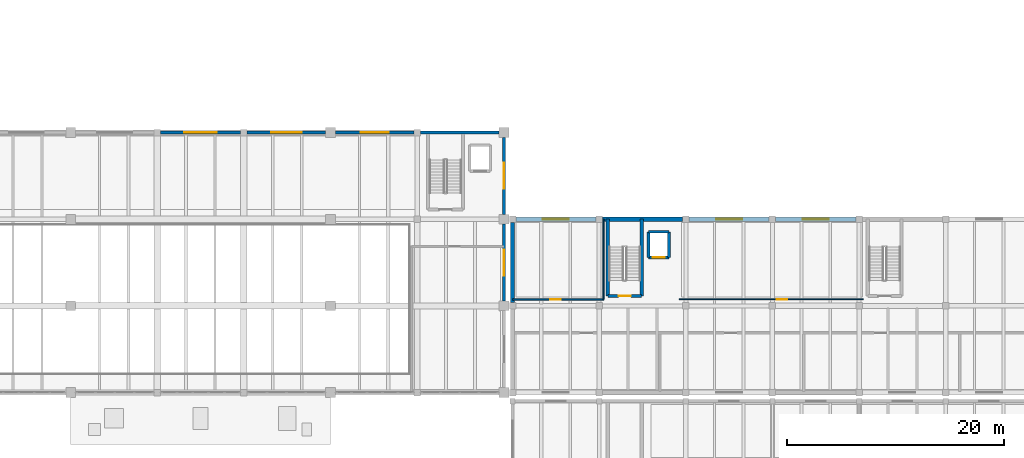
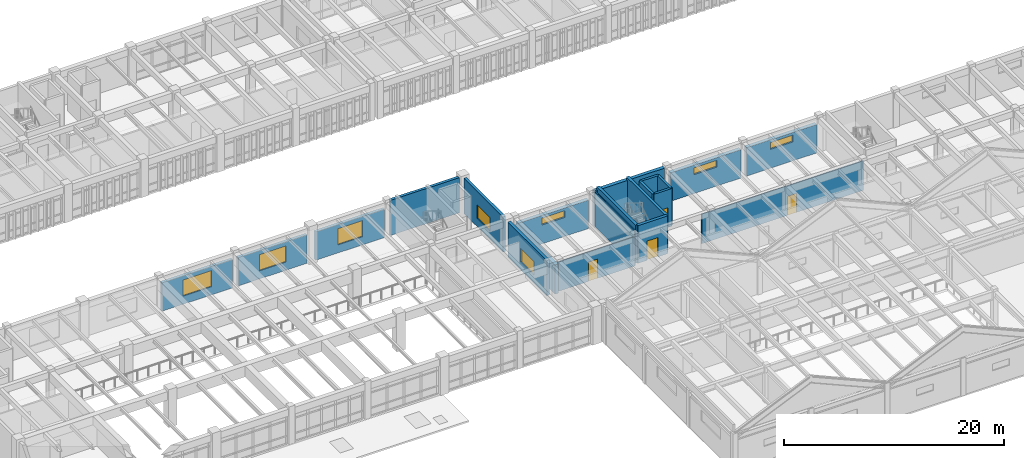
# One storey, part 46 of 67: 21 walls, 8 windows, 4 doors, 12 openings.
"""IFC4 building model written with IfcOpenShell, lengths in metres."""

import ifcopenshell
import ifcopenshell.guid

model = None  # the IFC model being written
_history = None  # IfcOwnerHistory: only IFC2X3 demands one
_inside = {}  # id of a spatial element -> (the spatial element, [elements in it])
_under = {}  # id of a project, library or spatial element -> (it, [spatial elements below it])
_declared = {}  # id of a project -> (the project, [libraries it declares])
_typed = {}  # id of a type object -> (the type object, [elements of that type])
_made_of = {}  # id of a material, layer set ... -> (it, [elements and type objects made of it])


def new_model(schema):
    """Start an empty IFC model of exactly this schema.

    Asked for "IFC4X3", IfcOpenShell would pick the latest addendum, in which some entities
    have other attributes; the version numbers below select the first issue.
    IFC2X3 requires an IfcOwnerHistory on every rooted entity: one is made here for all.
    """
    global model, _history
    if schema == "IFC4X3":
        model = ifcopenshell.file(schema_version=(4, 3, 0, 0))
    else:
        model = ifcopenshell.file(schema=schema)
    _inside.clear()
    _under.clear()
    _declared.clear()
    _typed.clear()
    _made_of.clear()
    _history = None
    if model.schema == "IFC2X3":
        org = make("IfcOrganization", Name="unknown")
        user = make(
            "IfcPersonAndOrganization",
            ThePerson=make("IfcPerson", FamilyName="unknown"),
            TheOrganization=org,
        )
        app = make(
            "IfcApplication",
            ApplicationDeveloper=org,
            Version="unknown",
            ApplicationFullName="unknown",
            ApplicationIdentifier="unknown",
        )
        _history = make(
            "IfcOwnerHistory",
            OwningUser=user,
            OwningApplication=app,
            ChangeAction="ADDED",
            CreationDate=0,
        )
    return model


def make(cls, **values):
    """One entity of the class cls with the attributes given. An attribute that is None is left unset."""
    return model.create_entity(
        cls, **{name: value for name, value in values.items() if value is not None}
    )


def rooted(cls, **values):
    """An entity with a GlobalId (a new one), such as an element, a storey or a relation."""
    return make(cls, GlobalId=ifcopenshell.guid.new(), OwnerHistory=_history, **values)


def si_unit(unit_type, name, prefix=None):
    """IfcSIUnit, for example si_unit("LENGTHUNIT", "METRE", prefix="MILLI")."""
    return make("IfcSIUnit", UnitType=unit_type, Prefix=prefix, Name=name)


def assignment(units):
    """IfcUnitAssignment: the units of a project."""
    return None if units is None else make("IfcUnitAssignment", Units=units)


def point(xyz):
    """IfcCartesianPoint."""
    return None if xyz is None else make("IfcCartesianPoint", Coordinates=xyz)


def direction(xyz):
    """IfcDirection."""
    return None if xyz is None else make("IfcDirection", DirectionRatios=xyz)


def frame(location, z_axis=None, x_axis=None):
    """IfcAxis2Placement3D, a coordinate frame: its origin and axes. An axis left out is left unset."""
    return make(
        "IfcAxis2Placement3D",
        Location=point(location),
        Axis=direction(z_axis),
        RefDirection=direction(x_axis),
    )


def frame_2d(location, x_axis=None):
    """IfcAxis2Placement2D, a coordinate frame in the plane: its origin and x axis."""
    return make(
        "IfcAxis2Placement2D", Location=point(location), RefDirection=direction(x_axis)
    )


def origin():
    """The frame at (0, 0, 0) with its axes left unset."""
    return frame((0.0, 0.0, 0.0))


def place(relative_to, where):
    """IfcLocalPlacement: puts the frame where relative to a parent placement (None: the world)."""
    return make(
        "IfcLocalPlacement", PlacementRelTo=relative_to, RelativePlacement=where
    )


def context(
    kind, dimensions, precision=None, world=None, true_north=None, identifier=None
):
    """IfcGeometricRepresentationContext, for example the 3D "Model" context."""
    return make(
        "IfcGeometricRepresentationContext",
        ContextIdentifier=identifier,
        ContextType=kind,
        CoordinateSpaceDimension=dimensions,
        Precision=precision,
        WorldCoordinateSystem=world,
        TrueNorth=true_north,
    )


def subcontext(parent, identifier, kind, view, scale=None):
    """IfcGeometricRepresentationSubContext, for example "Body" below "Model"."""
    return make(
        "IfcGeometricRepresentationSubContext",
        ContextIdentifier=identifier,
        ContextType=kind,
        ParentContext=parent,
        TargetScale=scale,
        TargetView=view,
    )


def project(units=None, contexts=None):
    """IfcProject with its units and contexts."""
    return rooted(
        "IfcProject",
        Name="project",
        RepresentationContexts=contexts,
        UnitsInContext=assignment(units),
    )


def spatial(cls, under=None, at=None, **own):
    """A site, building, storey or space (cls), placed at a placement, below another one or the project."""
    s = rooted(cls, ObjectPlacement=at, **own)
    if under is not None:
        _under.setdefault(under.id(), (under, []))[1].append(s)
    return s


def profile(cls, at=None, kind="AREA", **sizes):
    """A parametric profile (cls). Its sizes go by their IFC names, for example OverallWidth=200.0."""
    return make(cls, ProfileType=kind, Position=at, **sizes)


def rectangle(**sizes):
    """IfcRectangleProfileDef."""
    return profile("IfcRectangleProfileDef", **sizes)


def extrude(swept, where, along, depth):
    """IfcExtrudedAreaSolid: the profile swept, set in the frame where, extruded along a direction by depth."""
    return make(
        "IfcExtrudedAreaSolid",
        SweptArea=swept,
        Position=where,
        ExtrudedDirection=direction(along),
        Depth=depth,
    )


def shape(context_of_items, identifier, shape_type, items):
    """IfcShapeRepresentation: the items that make up one representation, for example the "Body"."""
    return make(
        "IfcShapeRepresentation",
        ContextOfItems=context_of_items,
        RepresentationIdentifier=identifier,
        RepresentationType=shape_type,
        Items=items,
    )


def material(Name=None, Category=None):
    """IfcMaterial."""
    return make("IfcMaterial", Name=Name, Category=Category)


def layer(
    of_material, thickness, ventilated=None, Name=None, Category=None, Priority=None
):
    """IfcMaterialLayer: one layer of a wall or slab, of a material (None: an air gap)."""
    return make(
        "IfcMaterialLayer",
        Material=of_material,
        LayerThickness=thickness,
        IsVentilated=ventilated,
        Name=Name,
        Category=Category,
        Priority=Priority,
    )


def layer_set(layers, Name=None):
    """IfcMaterialLayerSet."""
    return make("IfcMaterialLayerSet", MaterialLayers=layers, LayerSetName=Name)


def made_of(thing, what):
    """Note that an element or type object is made of a material, layer set ...; save() writes the relation."""
    if what is not None:
        _made_of.setdefault(what.id(), (what, []))[1].append(thing)
    return thing


def type_object(cls, material=None, **own):
    """A type object (cls), such as IfcWallType, which elements share."""
    return made_of(rooted(cls, **own), material)


def element(
    cls,
    number,
    at=None,
    inside=None,
    cuts=None,
    type_object=None,
    material=None,
    context=None,
    identifier="Body",
    shape_type=None,
    held_by="IfcProductDefinitionShape",
    body=None,
    shapes=None,
    **own,
):
    """One element of the class cls, such as IfcWall. Its Tag is "e" and its number.

    at: its placement. inside: the storey or other place that contains it. cuts: it is an
    opening in that element (IfcRelVoidsElement). A single representation is given by context,
    identifier, shape_type and body (its items); several are given by shapes. held_by: the class
    of the entity that holds the representations. save() writes the other relations.
    """
    e = rooted(cls, Tag="e%d" % number, ObjectPlacement=at, **own)
    if body is not None:
        shapes = [shape(context, identifier, shape_type, body)]
    if shapes is not None:
        e.Representation = make(held_by, Representations=shapes)
    if inside is not None:
        _inside.setdefault(inside.id(), (inside, []))[1].append(e)
    if cuts is not None:
        rooted(
            "IfcRelVoidsElement", RelatingBuildingElement=cuts, RelatedOpeningElement=e
        )
    if type_object is not None:
        _typed.setdefault(type_object.id(), (type_object, []))[1].append(e)
    return made_of(e, material)


def fill(opening, filler):
    """IfcRelFillsElement: the door or window that sits in an opening."""
    return rooted(
        "IfcRelFillsElement",
        RelatingOpeningElement=opening,
        RelatedBuildingElement=filler,
    )


def aggregate(whole, parts):
    """IfcRelAggregates: a whole, such as a stair, and the parts it consists of."""
    return rooted("IfcRelAggregates", RelatingObject=whole, RelatedObjects=parts)


def save(model, path):
    """Write the relations noted so far, then the file.

    IfcRelAggregates (storeys below a building ...), IfcRelContainedInSpatialStructure (elements
    in a storey), IfcRelDefinesByType, IfcRelAssociatesMaterial and IfcRelDeclares: one each for
    every whole, place, type object, material and project.
    """
    for whole, parts in _under.values():
        aggregate(whole, parts)
    for where, things in _inside.values():
        rooted(
            "IfcRelContainedInSpatialStructure",
            RelatedElements=things,
            RelatingStructure=where,
        )
    for kind, things in _typed.values():
        rooted("IfcRelDefinesByType", RelatedObjects=things, RelatingType=kind)
    for what, things in _made_of.values():
        rooted("IfcRelAssociatesMaterial", RelatedObjects=things, RelatingMaterial=what)
    for by, libraries in _declared.values():
        rooted("IfcRelDeclares", RelatingContext=by, RelatedDefinitions=libraries)
    model.write(path)


model = new_model("IFC4")

# Units and contexts
model_context = context("Model", 3, precision=1e-05, world=origin(), true_north=direction((0.0, 1.0)))
body_context = subcontext(model_context, "Body", "Model", "MODEL_VIEW")
ifc_project = project(units=[si_unit("LENGTHUNIT", "METRE"), si_unit("AREAUNIT", "SQUARE_METRE"), si_unit("VOLUMEUNIT", "CUBIC_METRE"), si_unit("PLANEANGLEUNIT", "RADIAN"), si_unit("MASSUNIT", "GRAM", prefix="KILO")], contexts=[model_context])

# Site, building, storey
site_placement = place(None, origin())
site = spatial("IfcSite", under=ifc_project, at=site_placement, CompositionType="ELEMENT")
building_placement = place(site_placement, origin())
building = spatial("IfcBuilding", under=site, at=building_placement, Name="Tlaxcora Railside Police Headquarters", CompositionType="ELEMENT")
storey_placement = place(building_placement, frame((0.0, 0.0, 4.800048828125)))
storey = spatial("IfcBuildingStorey", under=building, at=storey_placement, Name="L01", CompositionType="ELEMENT", Elevation=4.800048828125)

# Wall, opening, door
ifc_material_1 = material(Name="Gypsum acoustic partition board")
ifc_layer_1 = layer(ifc_material_1, 0.10791015625, Name="Gypsum acoustic partition board")
ifc_layer_set_1 = layer_set([ifc_layer_1], Name="Gypsum acoustic partition board")
wall_type_1 = type_object("IfcWallType", Name="Interior Partition Wall IW-19", PredefinedType="PARTITIONING", material=ifc_layer_set_1)
wall_1_placement = place(storey_placement, frame((118.199951171875, 44.60009765625, 0.0), z_axis=(0.0, 0.0, 1.0), x_axis=(1.0, 0.0, 0.0)))
wall_1 = element("IfcWall", 1, at=wall_1_placement, inside=storey, type_object=wall_type_1, Name="V7 L01 interior partition 98", PredefinedType="PARTITIONING", context=body_context, shape_type="SweptSolid", body=[
    extrude(rectangle(XDim=17.0, YDim=0.10791015625, at=frame_2d((8.5, 0.0))), origin(), (0.0, 0.0, 1.0), 3.294921875),
])
opening_1_placement = place(wall_1_placement, frame((9.0, 0.0, 0.0)))
opening_1 = element("IfcOpeningElement", 2, at=opening_1_placement, cuts=wall_1, Name="Opening D-L01-139", PredefinedType="OPENING", context=body_context, shape_type="SweptSolid", body=[
    extrude(rectangle(XDim=0.97998046875, YDim=2.1201171875, at=frame_2d((0.489990234375, 1.06005859375))), frame((0.0, 0.06396484375, 0.0), z_axis=(0.0, -1.0, 0.0), x_axis=(1.0, 0.0, 0.0)), (0.0, 0.0, 1.0), 0.1279296875),
])
ifc_material_2 = material(Name="Steel ASTM A992 Grade 50", Category="steel")
door_type_1 = type_object("IfcDoorType", Name="Swing or Sliding Personnel Door ID-74", OperationType="NOTDEFINED", PredefinedType="DOOR", material=ifc_material_2)
door_1_placement = place(opening_1_placement, origin())
door_1 = element("IfcDoor", 3, at=door_1_placement, inside=storey, type_object=door_type_1, Name="V7 L01 door D-L01-139", OperationType="SINGLE_SWING_RIGHT", OverallHeight=2.1201171875, OverallWidth=0.97998046875, PredefinedType="DOOR", context=body_context, shape_type="SweptSolid", body=[
    extrude(rectangle(XDim=0.97998046875, YDim=2.1201171875, at=frame_2d((0.489990234375, 1.06005859375))), frame((0.0, 0.02490234375, 0.0), z_axis=(0.0, -1.0, 0.0), x_axis=(1.0, 0.0, 0.0)), (0.0, 0.0, 1.0), 0.050048828125),
])
fill(opening_1, door_1)

ifc_layer_2 = layer(ifc_material_1, 0.1201171875, Name="Gypsum acoustic partition board")
ifc_layer_set_2 = layer_set([ifc_layer_2], Name="Gypsum acoustic partition board")
wall_type_2 = type_object("IfcWallType", Name="Interior Partition Wall IW-37", PredefinedType="PARTITIONING", material=ifc_layer_set_2)
wall_2_placement = place(storey_placement, frame((102.800048828125, 44.60009765625, 0.0), z_axis=(0.0, 0.0, 1.0), x_axis=(1.0, 0.0, 0.0)))
wall_2 = element("IfcWall", 4, at=wall_2_placement, inside=storey, type_object=wall_type_2, Name="V7 L01 interior partition 96", PredefinedType="PARTITIONING", context=body_context, shape_type="SweptSolid", body=[
    extrude(rectangle(XDim=8.39990234375, YDim=0.1201171875, at=frame_2d((4.199951171875, 0.0))), origin(), (0.0, 0.0, 1.0), 3.244873046875),
])
opening_2_placement = place(wall_2_placement, frame((3.5, 0.0, 0.0)))
opening_2 = element("IfcOpeningElement", 5, at=opening_2_placement, cuts=wall_2, Name="Opening D-L01-138", PredefinedType="OPENING", context=body_context, shape_type="SweptSolid", body=[
    extrude(rectangle(XDim=0.949951171875, YDim=2.14990234375, at=frame_2d((0.47509765625, 1.074951171875))), frame((0.0, 0.070068359375, 0.0), z_axis=(0.0, -1.0, 0.0), x_axis=(1.0, 0.0, 0.0)), (0.0, 0.0, 1.0), 0.14013671875),
])
door_type_2 = type_object("IfcDoorType", Name="Swing or Sliding Personnel Door ID-31", OperationType="NOTDEFINED", PredefinedType="DOOR", material=ifc_material_2)
door_2_placement = place(opening_2_placement, origin())
door_2 = element("IfcDoor", 6, at=door_2_placement, inside=storey, type_object=door_type_2, Name="V7 L01 door D-L01-138", OperationType="SINGLE_SWING_LEFT", OverallHeight=2.14990234375, OverallWidth=0.949951171875, PredefinedType="DOOR", context=body_context, shape_type="SweptSolid", body=[
    extrude(rectangle(XDim=0.949951171875, YDim=2.14990234375, at=frame_2d((0.47509765625, 1.074951171875))), frame((0.0, 0.02490234375, 0.0), z_axis=(0.0, -1.0, 0.0), x_axis=(1.0, 0.0, 0.0)), (0.0, 0.0, 1.0), 0.050048828125),
])
fill(opening_2, door_2)

# Wall
ifc_layer_3 = layer(ifc_material_1, 0.114990234375, Name="Gypsum acoustic partition board")
ifc_layer_set_3 = layer_set([ifc_layer_3], Name="Gypsum acoustic partition board")
wall_type_3 = type_object("IfcWallType", Name="Interior Partition Wall IW-87", PredefinedType="PARTITIONING", material=ifc_layer_set_3)
wall_3_placement = place(storey_placement, frame((111.199951171875, 44.60009765625, 0.0), z_axis=(0.0, 0.0, 1.0), x_axis=(0.0, 1.0, 0.0)))
element("IfcWall", 7, at=wall_3_placement, inside=storey, type_object=wall_type_3, Name="V7 L01 interior partition 97", PredefinedType="PARTITIONING", context=body_context, shape_type="SweptSolid", body=[
    extrude(rectangle(XDim=7.39990234375, YDim=0.114990234375, at=frame_2d((3.699951171875, 0.0))), origin(), (0.0, 0.0, 1.0), 3.909912109375),
])

# Wall, opening, door
ifc_material_3 = material(Name="Concrete C40/50", Category="concrete")
ifc_layer_4 = layer(ifc_material_3, 0.25, Name="Concrete C40/50")
ifc_layer_set_4 = layer_set([ifc_layer_4], Name="Concrete C40/50")
wall_type_4 = type_object("IfcWallType", Name="Shear Core Wall IW-13", PredefinedType="SHEAR", material=ifc_layer_set_4)
wall_4_placement = place(storey_placement, frame((115.360107421875, 48.4599609375, 0.0), z_axis=(0.0, 0.0, 1.0), x_axis=(1.0, 0.0, 0.0)))
wall_4 = element("IfcWall", 8, at=wall_4_placement, inside=storey, type_object=wall_type_4, Name="Lift CL-01 L01 shaft wall S", PredefinedType="SHEAR", context=body_context, shape_type="SweptSolid", body=[
    extrude(rectangle(XDim=1.8798828125, YDim=0.25, at=frame_2d((0.93994140625, 0.0))), origin(), (0.0, 0.0, 1.0), 4.199951171875),
])
opening_3_placement = place(wall_4_placement, frame((0.389892578125, 0.0, 0.0)))
opening_3 = element("IfcOpeningElement", 9, at=opening_3_placement, cuts=wall_4, Name="Opening LD-CL-01-L01", PredefinedType="OPENING", context=body_context, shape_type="SweptSolid", body=[
    extrude(rectangle(XDim=1.10009765625, YDim=2.199951171875, at=frame_2d((0.550048828125, 1.10009765625))), frame((0.0, 0.135009765625, 0.0), z_axis=(0.0, -1.0, 0.0), x_axis=(1.0, 0.0, 0.0)), (0.0, 0.0, 1.0), 0.27001953125),
])
door_type_3 = type_object("IfcDoorType", Name="Swing or Sliding Personnel Door ID-15", OperationType="NOTDEFINED", PredefinedType="DOOR", material=ifc_material_2)
door_3_placement = place(opening_3_placement, origin())
door_3 = element("IfcDoor", 10, at=door_3_placement, inside=storey, type_object=door_type_3, Name="Lift CL-01 L01 sliding landing door", OperationType="DOUBLE_DOOR_SLIDING", OverallHeight=2.199951171875, OverallWidth=1.10009765625, PredefinedType="DOOR", context=body_context, shape_type="SweptSolid", body=[
    extrude(rectangle(XDim=1.10009765625, YDim=2.199951171875, at=frame_2d((0.550048828125, 1.10009765625))), frame((0.0, 0.02490234375, 0.0), z_axis=(0.0, -1.0, 0.0), x_axis=(1.0, 0.0, 0.0)), (0.0, 0.0, 1.0), 0.050048828125),
])
fill(opening_3, door_3)

# Walls
wall_5_placement = place(storey_placement, frame((117.239990234375, 48.4599609375, 0.0), z_axis=(0.0, 0.0, 1.0), x_axis=(0.0, 1.0, 0.0)))
element("IfcWall", 11, at=wall_5_placement, inside=storey, type_object=wall_type_4, Name="Lift CL-01 L01 shaft wall E", PredefinedType="SHEAR", context=body_context, shape_type="SweptSolid", body=[
    extrude(rectangle(XDim=2.380126953125, YDim=0.25, at=frame_2d((1.18994140625, 0.0))), origin(), (0.0, 0.0, 1.0), 4.199951171875),
])
wall_6_placement = place(storey_placement, frame((117.239990234375, 50.840087890625, 0.0), z_axis=(0.0, 0.0, 1.0), x_axis=(-1.0, 0.0, 0.0)))
element("IfcWall", 12, at=wall_6_placement, inside=storey, type_object=wall_type_4, Name="Lift CL-01 L01 shaft wall N", PredefinedType="SHEAR", context=body_context, shape_type="SweptSolid", body=[
    extrude(rectangle(XDim=1.8798828125, YDim=0.25, at=frame_2d((0.93994140625, 0.0))), origin(), (0.0, 0.0, 1.0), 4.199951171875),
])
wall_7_placement = place(storey_placement, frame((115.360107421875, 50.840087890625, 0.0), z_axis=(0.0, 0.0, 1.0), x_axis=(0.0, -1.0, 0.0)))
element("IfcWall", 13, at=wall_7_placement, inside=storey, type_object=wall_type_4, Name="Lift CL-01 L01 shaft wall W", PredefinedType="SHEAR", context=body_context, shape_type="SweptSolid", body=[
    extrude(rectangle(XDim=2.380126953125, YDim=0.25, at=frame_2d((1.18994140625, 0.0))), origin(), (0.0, 0.0, 1.0), 4.199951171875),
])

# Wall, opening, door
ifc_layer_5 = layer(ifc_material_3, 0.300048828125, Name="Concrete C40/50")
ifc_layer_set_5 = layer_set([ifc_layer_5], Name="Concrete C40/50")
wall_type_5 = type_object("IfcWallType", Name="Shear Core Wall IW-28", PredefinedType="SHEAR", material=ifc_layer_set_5)
wall_8_placement = place(storey_placement, frame((111.60009765625, 44.89990234375, 0.0), z_axis=(0.0, 0.0, 1.0), x_axis=(1.0, 0.0, 0.0)))
wall_8 = element("IfcWall", 14, at=wall_8_placement, inside=storey, type_object=wall_type_5, Name="CORE-C7 L01 stair core wall S", PredefinedType="SHEAR", context=body_context, shape_type="SweptSolid", body=[
    extrude(rectangle(XDim=3.119873046875, YDim=0.300048828125, at=frame_2d((1.56005859375, 0.0))), origin(), (0.0, 0.0, 1.0), 4.199951171875),
])
opening_4_placement = place(wall_8_placement, frame((0.985107421875, 0.0, 0.0)))
opening_4 = element("IfcOpeningElement", 15, at=opening_4_placement, cuts=wall_8, Name="Opening SD-L01-048", PredefinedType="OPENING", context=body_context, shape_type="SweptSolid", body=[
    extrude(rectangle(XDim=1.14990234375, YDim=2.14990234375, at=frame_2d((0.574951171875, 1.074951171875))), frame((0.0, 0.16015625, 0.0), z_axis=(0.0, -1.0, 0.0), x_axis=(1.0, 0.0, 0.0)), (0.0, 0.0, 1.0), 0.320068359375),
])
door_type_4 = type_object("IfcDoorType", Name="Swing or Sliding Personnel Door ID-73", OperationType="NOTDEFINED", PredefinedType="DOOR", material=ifc_material_2)
door_4_placement = place(opening_4_placement, origin())
door_4 = element("IfcDoor", 16, at=door_4_placement, inside=storey, type_object=door_type_4, Name="Stair ST5 L01 enclosure fire door", OperationType="SINGLE_SWING_RIGHT", OverallHeight=2.14990234375, OverallWidth=1.14990234375, PredefinedType="DOOR", context=body_context, shape_type="SweptSolid", body=[
    extrude(rectangle(XDim=1.14990234375, YDim=2.14990234375, at=frame_2d((0.574951171875, 1.074951171875))), frame((0.0, 0.02490234375, 0.0), z_axis=(0.0, -1.0, 0.0), x_axis=(1.0, 0.0, 0.0)), (0.0, 0.0, 1.0), 0.050048828125),
])
fill(opening_4, door_4)

# Walls
for number, where, z_axis, x_axis, name in (
    (17, (114.719970703125, 44.89990234375, 0.0), (0.0, 0.0, 1.0), (0.0, 1.0, 0.0), "CORE-C7 L01 stair core wall E"),
    (18, (111.60009765625, 52.0, 0.0), (0.0, 0.0, 1.0), (0.0, -1.0, 0.0), "CORE-C7 L01 stair core wall W"),
):
    element("IfcWall", number, at=place(storey_placement, frame(where, z_axis=z_axis, x_axis=x_axis)), inside=storey, type_object=wall_type_5, Name=name, PredefinedType="SHEAR", context=body_context, shape_type="SweptSolid", body=[
        extrude(rectangle(XDim=7.10009765625, YDim=0.300048828125, at=frame_2d((3.550048828125, 0.0))), origin(), (0.0, 0.0, 1.0), 4.199951171875),
    ])

# Wall, opening, window
ifc_layer_6 = layer(ifc_material_3, 0.3798828125, Name="Concrete C40/50")
ifc_layer_set_6 = layer_set([ifc_layer_6], Name="Concrete C40/50")
wall_type_6 = type_object("IfcWallType", Name="Structural Bearing Wall EW-29", PredefinedType="SOLIDWALL", material=ifc_layer_set_6)
wall_9_placement = place(storey_placement, frame((134.5, 52.0, 0.0), z_axis=(0.0, 0.0, 1.0), x_axis=(-1.0, 0.0, 0.0)))
wall_9 = element("IfcWall", 19, at=wall_9_placement, inside=storey, type_object=wall_type_6, Name="V7 L01 exterior wall 2.3", PredefinedType="SOLIDWALL", context=body_context, shape_type="SweptSolid", body=[
    extrude(rectangle(XDim=7.39990234375, YDim=0.3798828125, at=frame_2d((3.699951171875, 0.0))), origin(), (0.0, 0.0, 1.0), 3.159912109375),
])
opening_5_placement = place(wall_9_placement, frame((2.5, 0.0, 2.10009765625)))
opening_5 = element("IfcOpeningElement", 20, at=opening_5_placement, cuts=wall_9, Name="Opening WN-32", PredefinedType="OPENING", context=body_context, shape_type="SweptSolid", body=[
    extrude(rectangle(XDim=2.39990234375, YDim=0.75, at=frame_2d((1.199951171875, 0.375))), frame((0.0, 0.199951171875, 0.0), z_axis=(0.0, -1.0, 0.0), x_axis=(1.0, 0.0, 0.0)), (0.0, 0.0, 1.0), 0.39990234375),
])
ifc_material_4 = material(Name="Thermally broken low-E insulated glazing", Category="glass")
window_type_1 = type_object("IfcWindowType", Name="Exterior Framed or Circular Window WN-32", PartitioningType="SINGLE_PANEL", PredefinedType="WINDOW", material=ifc_material_4)
window_1_placement = place(opening_5_placement, origin())
window_1 = element("IfcWindow", 21, at=window_1_placement, inside=storey, type_object=window_type_1, Name="V7 L01 window 204", OverallHeight=0.75, OverallWidth=2.39990234375, PartitioningType="SINGLE_PANEL", PredefinedType="WINDOW", context=body_context, shape_type="SweptSolid", body=[
    extrude(rectangle(XDim=2.39990234375, YDim=0.75, at=frame_2d((1.199951171875, 0.375))), frame((0.0, 0.030029296875, 0.0), z_axis=(0.0, -1.0, 0.0), x_axis=(1.0, 0.0, 0.0)), (0.0, 0.0, 1.0), 0.06005859375),
])
fill(opening_5, window_1)

wall_10_placement = place(storey_placement, frame((126.5, 52.0, 0.0), z_axis=(0.0, 0.0, 1.0), x_axis=(-1.0, 0.0, 0.0)))
wall_10 = element("IfcWall", 22, at=wall_10_placement, inside=storey, type_object=wall_type_6, Name="V7 L01 exterior wall 2.4", PredefinedType="SOLIDWALL", context=body_context, shape_type="SweptSolid", body=[
    extrude(rectangle(XDim=7.39990234375, YDim=0.3798828125, at=frame_2d((3.699951171875, 0.0))), origin(), (0.0, 0.0, 1.0), 3.159912109375),
])
opening_6_placement = place(wall_10_placement, frame((2.5, 0.0, 2.10009765625)))
opening_6 = element("IfcOpeningElement", 23, at=opening_6_placement, cuts=wall_10, Name="Opening WN-32", PredefinedType="OPENING", context=body_context, shape_type="SweptSolid", body=[
    extrude(rectangle(XDim=2.39990234375, YDim=0.75, at=frame_2d((1.199951171875, 0.375))), frame((0.0, 0.199951171875, 0.0), z_axis=(0.0, -1.0, 0.0), x_axis=(1.0, 0.0, 0.0)), (0.0, 0.0, 1.0), 0.39990234375),
])
window_2_placement = place(opening_6_placement, origin())
window_2 = element("IfcWindow", 24, at=window_2_placement, inside=storey, type_object=window_type_1, Name="V7 L01 window 205", OverallHeight=0.75, OverallWidth=2.39990234375, PartitioningType="SINGLE_PANEL", PredefinedType="WINDOW", context=body_context, shape_type="SweptSolid", body=[
    extrude(rectangle(XDim=2.39990234375, YDim=0.75, at=frame_2d((1.199951171875, 0.375))), frame((0.0, 0.030029296875, 0.0), z_axis=(0.0, -1.0, 0.0), x_axis=(1.0, 0.0, 0.0)), (0.0, 0.0, 1.0), 0.06005859375),
])
fill(opening_6, window_2)

# Wall
wall_11_placement = place(storey_placement, frame((118.5, 52.0, 0.0), z_axis=(0.0, 0.0, 1.0), x_axis=(-1.0, 0.0, 0.0)))
element("IfcWall", 25, at=wall_11_placement, inside=storey, type_object=wall_type_6, Name="V7 L01 exterior wall 2.5", PredefinedType="SOLIDWALL", context=body_context, shape_type="SweptSolid", body=[
    extrude(rectangle(XDim=7.39990234375, YDim=0.3798828125, at=frame_2d((3.699951171875, 0.0))), origin(), (0.0, 0.0, 1.0), 3.909912109375),
])

# Wall, opening, window
wall_12_placement = place(storey_placement, frame((110.5, 52.0, 0.0), z_axis=(0.0, 0.0, 1.0), x_axis=(-1.0, 0.0, 0.0)))
wall_12 = element("IfcWall", 26, at=wall_12_placement, inside=storey, type_object=wall_type_6, Name="V7 L01 exterior wall 2.6", PredefinedType="SOLIDWALL", context=body_context, shape_type="SweptSolid", body=[
    extrude(rectangle(XDim=7.39990234375, YDim=0.3798828125, at=frame_2d((3.699951171875, 0.0))), origin(), (0.0, 0.0, 1.0), 3.159912109375),
])
opening_7_placement = place(wall_12_placement, frame((2.5, 0.0, 2.10009765625)))
opening_7 = element("IfcOpeningElement", 27, at=opening_7_placement, cuts=wall_12, Name="Opening WN-32", PredefinedType="OPENING", context=body_context, shape_type="SweptSolid", body=[
    extrude(rectangle(XDim=2.39990234375, YDim=0.75, at=frame_2d((1.199951171875, 0.375))), frame((0.0, 0.199951171875, 0.0), z_axis=(0.0, -1.0, 0.0), x_axis=(1.0, 0.0, 0.0)), (0.0, 0.0, 1.0), 0.39990234375),
])
window_3_placement = place(opening_7_placement, origin())
window_3 = element("IfcWindow", 28, at=window_3_placement, inside=storey, type_object=window_type_1, Name="V7 L01 window 206", OverallHeight=0.75, OverallWidth=2.39990234375, PartitioningType="SINGLE_PANEL", PredefinedType="WINDOW", context=body_context, shape_type="SweptSolid", body=[
    extrude(rectangle(XDim=2.39990234375, YDim=0.75, at=frame_2d((1.199951171875, 0.375))), frame((0.0, 0.030029296875, 0.0), z_axis=(0.0, -1.0, 0.0), x_axis=(1.0, 0.0, 0.0)), (0.0, 0.0, 1.0), 0.06005859375),
])
fill(opening_7, window_3)

# Wall
wall_13_placement = place(storey_placement, frame((102.800048828125, 51.699951171875, 0.0), z_axis=(0.0, 0.0, 1.0), x_axis=(0.0, -1.0, 0.0)))
element("IfcWall", 29, at=wall_13_placement, inside=storey, type_object=wall_type_6, Name="V7 L01 exterior wall 3.0", PredefinedType="SOLIDWALL", context=body_context, shape_type="SweptSolid", body=[
    extrude(rectangle(XDim=7.39990234375, YDim=0.3798828125, at=frame_2d((3.699951171875, 0.0))), origin(), (0.0, 0.0, 1.0), 3.260009765625),
])

# Wall, opening, window
ifc_material_5 = material(Name="Pressed clay brick masonry", Category="masonry")
ifc_layer_7 = layer(ifc_material_5, 0.294921875, Name="Pressed clay brick masonry")
ifc_layer_set_7 = layer_set([ifc_layer_7], Name="Pressed clay brick masonry")
wall_type_7 = type_object("IfcWallType", Name="Structural Bearing Wall EW-74", PredefinedType="SOLIDWALL", material=ifc_layer_set_7)
wall_14_placement = place(storey_placement, frame((102.0, 44.449951171875, 0.0), z_axis=(0.0, 0.0, 1.0), x_axis=(0.0, 1.0, 0.0)))
wall_14 = element("IfcWall", 30, at=wall_14_placement, inside=storey, type_object=wall_type_7, Name="V1 L01 exterior wall 1.1", PredefinedType="SOLIDWALL", context=body_context, shape_type="SweptSolid", body=[
    extrude(rectangle(XDim=7.10009765625, YDim=0.294921875, at=frame_2d((3.550048828125, 0.0))), origin(), (0.0, 0.0, 1.0), 3.909912109375),
])
opening_8_placement = place(wall_14_placement, frame((2.35009765625, 0.0, 0.89990234375)))
opening_8 = element("IfcOpeningElement", 31, at=opening_8_placement, cuts=wall_14, Name="Opening WN-59", PredefinedType="OPENING", context=body_context, shape_type="SweptSolid", body=[
    extrude(rectangle(XDim=2.39990234375, YDim=1.5, at=frame_2d((1.199951171875, 0.75))), frame((0.0, 0.157470703125, 0.0), z_axis=(0.0, -1.0, 0.0), x_axis=(1.0, 0.0, 0.0)), (0.0, 0.0, 1.0), 0.31494140625),
])
window_type_2 = type_object("IfcWindowType", Name="Exterior Framed or Circular Window WN-59", PartitioningType="SINGLE_PANEL", PredefinedType="WINDOW", material=ifc_material_4)
window_4_placement = place(opening_8_placement, origin())
window_4 = element("IfcWindow", 32, at=window_4_placement, inside=storey, type_object=window_type_2, Name="V1 L01 window 27", OverallHeight=1.5, OverallWidth=2.39990234375, PartitioningType="SINGLE_PANEL", PredefinedType="WINDOW", context=body_context, shape_type="SweptSolid", body=[
    extrude(rectangle(XDim=2.39990234375, YDim=1.5, at=frame_2d((1.199951171875, 0.75))), frame((0.0, 0.030029296875, 0.0), z_axis=(0.0, -1.0, 0.0), x_axis=(1.0, 0.0, 0.0)), (0.0, 0.0, 1.0), 0.06005859375),
])
fill(opening_8, window_4)

wall_15_placement = place(storey_placement, frame((102.0, 52.449951171875, 0.0), z_axis=(0.0, 0.0, 1.0), x_axis=(0.0, 1.0, 0.0)))
wall_15 = element("IfcWall", 33, at=wall_15_placement, inside=storey, type_object=wall_type_7, Name="V1 L01 exterior wall 1.2", PredefinedType="SOLIDWALL", context=body_context, shape_type="SweptSolid", body=[
    extrude(rectangle(XDim=7.10009765625, YDim=0.294921875, at=frame_2d((3.550048828125, 0.0))), origin(), (0.0, 0.0, 1.0), 3.909912109375),
])
opening_9_placement = place(wall_15_placement, frame((2.35009765625, 0.0, 0.89990234375)))
opening_9 = element("IfcOpeningElement", 34, at=opening_9_placement, cuts=wall_15, Name="Opening WN-59", PredefinedType="OPENING", context=body_context, shape_type="SweptSolid", body=[
    extrude(rectangle(XDim=2.39990234375, YDim=1.5, at=frame_2d((1.199951171875, 0.75))), frame((0.0, 0.157470703125, 0.0), z_axis=(0.0, -1.0, 0.0), x_axis=(1.0, 0.0, 0.0)), (0.0, 0.0, 1.0), 0.31494140625),
])
window_5_placement = place(opening_9_placement, origin())
window_5 = element("IfcWindow", 35, at=window_5_placement, inside=storey, type_object=window_type_2, Name="V1 L01 window 28", OverallHeight=1.5, OverallWidth=2.39990234375, PartitioningType="SINGLE_PANEL", PredefinedType="WINDOW", context=body_context, shape_type="SweptSolid", body=[
    extrude(rectangle(XDim=2.39990234375, YDim=1.5, at=frame_2d((1.199951171875, 0.75))), frame((0.0, 0.030029296875, 0.0), z_axis=(0.0, -1.0, 0.0), x_axis=(1.0, 0.0, 0.0)), (0.0, 0.0, 1.0), 0.06005859375),
])
fill(opening_9, window_5)

# Wall
wall_16_placement = place(storey_placement, frame((101.550048828125, 60.0, 0.0), z_axis=(0.0, 0.0, 1.0), x_axis=(-1.0, 0.0, 0.0)))
element("IfcWall", 36, at=wall_16_placement, inside=storey, type_object=wall_type_7, Name="V1 L01 exterior wall 2.0", PredefinedType="SOLIDWALL", context=body_context, shape_type="SweptSolid", body=[
    extrude(rectangle(XDim=7.25, YDim=0.294921875, at=frame_2d((3.625, 0.0))), origin(), (0.0, 0.0, 1.0), 3.909912109375),
])

# Wall, opening, window
wall_17_placement = place(storey_placement, frame((93.699951171875, 60.0, 0.0), z_axis=(0.0, 0.0, 1.0), x_axis=(-1.0, 0.0, 0.0)))
wall_17 = element("IfcWall", 37, at=wall_17_placement, inside=storey, type_object=wall_type_7, Name="V1 L01 exterior wall 2.1", PredefinedType="SOLIDWALL", context=body_context, shape_type="SweptSolid", body=[
    extrude(rectangle(XDim=7.25, YDim=0.294921875, at=frame_2d((3.625, 0.0))), origin(), (0.0, 0.0, 1.0), 3.159912109375),
])
opening_10_placement = place(wall_17_placement, frame((2.324951171875, 0.0, 0.89990234375)))
opening_10 = element("IfcOpeningElement", 38, at=opening_10_placement, cuts=wall_17, Name="Opening WN-71", PredefinedType="OPENING", context=body_context, shape_type="SweptSolid", body=[
    extrude(rectangle(XDim=2.60009765625, YDim=1.800048828125, at=frame_2d((1.300048828125, 0.89990234375))), frame((0.0, 0.157470703125, 0.0), z_axis=(0.0, -1.0, 0.0), x_axis=(1.0, 0.0, 0.0)), (0.0, 0.0, 1.0), 0.31494140625),
])
window_type_3 = type_object("IfcWindowType", Name="Exterior Framed or Circular Window WN-71", PartitioningType="SINGLE_PANEL", PredefinedType="WINDOW", material=ifc_material_4)
window_6_placement = place(opening_10_placement, origin())
window_6 = element("IfcWindow", 39, at=window_6_placement, inside=storey, type_object=window_type_3, Name="V1 L01 window 29", OverallHeight=1.800048828125, OverallWidth=2.60009765625, PartitioningType="SINGLE_PANEL", PredefinedType="WINDOW", context=body_context, shape_type="SweptSolid", body=[
    extrude(rectangle(XDim=2.60009765625, YDim=1.800048828125, at=frame_2d((1.300048828125, 0.89990234375))), frame((0.0, 0.030029296875, 0.0), z_axis=(0.0, -1.0, 0.0), x_axis=(1.0, 0.0, 0.0)), (0.0, 0.0, 1.0), 0.06005859375),
])
fill(opening_10, window_6)

wall_18_placement = place(storey_placement, frame((85.550048828125, 60.0, 0.0), z_axis=(0.0, 0.0, 1.0), x_axis=(-1.0, 0.0, 0.0)))
wall_18 = element("IfcWall", 40, at=wall_18_placement, inside=storey, type_object=wall_type_7, Name="V1 L01 exterior wall 2.2", PredefinedType="SOLIDWALL", context=body_context, shape_type="SweptSolid", body=[
    extrude(rectangle(XDim=7.25, YDim=0.294921875, at=frame_2d((3.625, 0.0))), origin(), (0.0, 0.0, 1.0), 3.159912109375),
])
opening_11_placement = place(wall_18_placement, frame((2.22509765625, 0.0, 0.89990234375)))
opening_11 = element("IfcOpeningElement", 41, at=opening_11_placement, cuts=wall_18, Name="Opening WN-44", PredefinedType="OPENING", context=body_context, shape_type="SweptSolid", body=[
    extrude(rectangle(XDim=2.800048828125, YDim=1.800048828125, at=frame_2d((1.39990234375, 0.89990234375))), frame((0.0, 0.157470703125, 0.0), z_axis=(0.0, -1.0, 0.0), x_axis=(1.0, 0.0, 0.0)), (0.0, 0.0, 1.0), 0.31494140625),
])
window_type_4 = type_object("IfcWindowType", Name="Exterior Framed or Circular Window WN-44", PartitioningType="SINGLE_PANEL", PredefinedType="WINDOW", material=ifc_material_4)
window_7_placement = place(opening_11_placement, origin())
window_7 = element("IfcWindow", 42, at=window_7_placement, inside=storey, type_object=window_type_4, Name="V1 L01 window 30", OverallHeight=1.800048828125, OverallWidth=2.800048828125, PartitioningType="SINGLE_PANEL", PredefinedType="WINDOW", context=body_context, shape_type="SweptSolid", body=[
    extrude(rectangle(XDim=2.800048828125, YDim=1.800048828125, at=frame_2d((1.39990234375, 0.89990234375))), frame((0.0, 0.030029296875, 0.0), z_axis=(0.0, -1.0, 0.0), x_axis=(1.0, 0.0, 0.0)), (0.0, 0.0, 1.0), 0.06005859375),
])
fill(opening_11, window_7)

wall_19_placement = place(storey_placement, frame((77.699951171875, 60.0, 0.0), z_axis=(0.0, 0.0, 1.0), x_axis=(-1.0, 0.0, 0.0)))
wall_19 = element("IfcWall", 43, at=wall_19_placement, inside=storey, type_object=wall_type_7, Name="V1 L01 exterior wall 2.3", PredefinedType="SOLIDWALL", context=body_context, shape_type="SweptSolid", body=[
    extrude(rectangle(XDim=7.39990234375, YDim=0.294921875, at=frame_2d((3.699951171875, 0.0))), origin(), (0.0, 0.0, 1.0), 3.159912109375),
])
opening_12_placement = place(wall_19_placement, frame((2.199951171875, 0.0, 0.89990234375)))
opening_12 = element("IfcOpeningElement", 44, at=opening_12_placement, cuts=wall_19, Name="Opening WN-93", PredefinedType="OPENING", context=body_context, shape_type="SweptSolid", body=[
    extrude(rectangle(XDim=3.0, YDim=1.800048828125, at=frame_2d((1.5, 0.89990234375))), frame((0.0, 0.157470703125, 0.0), z_axis=(0.0, -1.0, 0.0), x_axis=(1.0, 0.0, 0.0)), (0.0, 0.0, 1.0), 0.31494140625),
])
window_type_5 = type_object("IfcWindowType", Name="Exterior Framed or Circular Window WN-93", PartitioningType="SINGLE_PANEL", PredefinedType="WINDOW", material=ifc_material_4)
window_8_placement = place(opening_12_placement, origin())
window_8 = element("IfcWindow", 45, at=window_8_placement, inside=storey, type_object=window_type_5, Name="V1 L01 window 31", OverallHeight=1.800048828125, OverallWidth=3.0, PartitioningType="SINGLE_PANEL", PredefinedType="WINDOW", context=body_context, shape_type="SweptSolid", body=[
    extrude(rectangle(XDim=3.0, YDim=1.800048828125, at=frame_2d((1.5, 0.89990234375))), frame((0.0, 0.030029296875, 0.0), z_axis=(0.0, -1.0, 0.0), x_axis=(1.0, 0.0, 0.0)), (0.0, 0.0, 1.0), 0.06005859375),
])
fill(opening_12, window_8)

save(model, "model.ifc")
